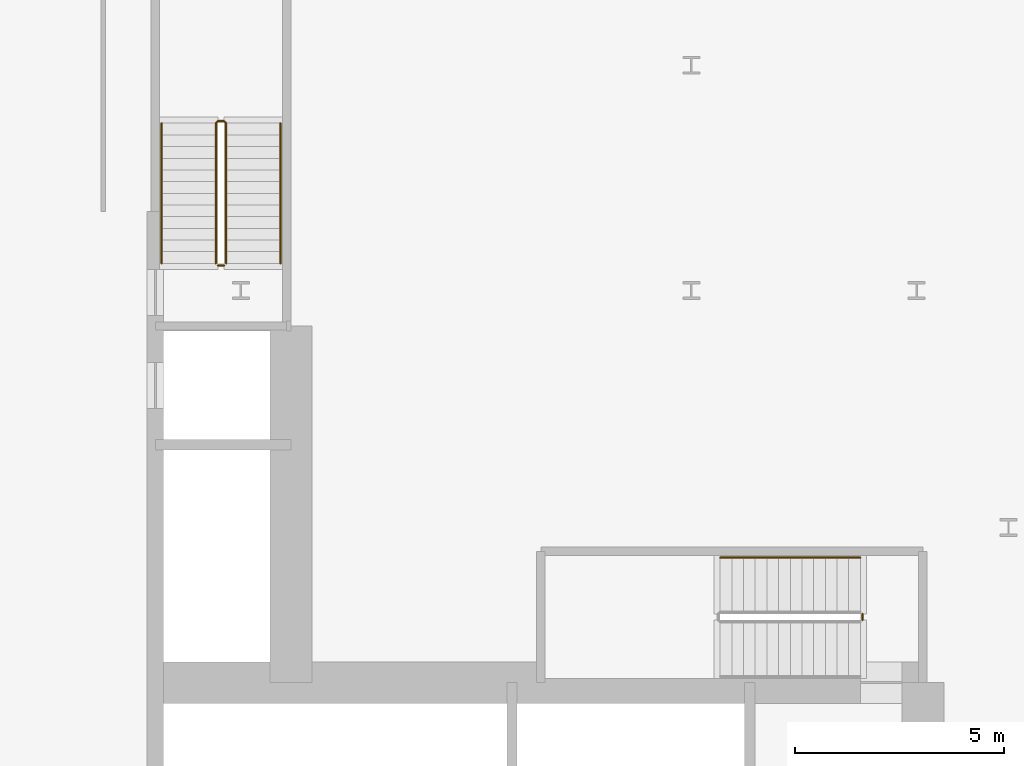
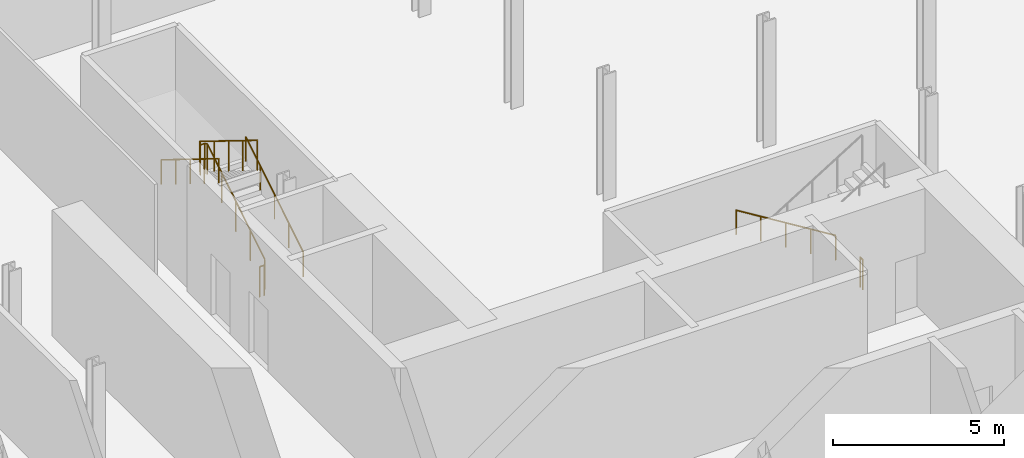
# One storey, part 39 of 43: 6 railings.
"""IFC4 building model written with IfcOpenShell, lengths in metres."""

from ifc_helpers import new_model, si_unit, direction, frame, origin, origin_2d, place, context, subcontext, project, spatial, circle, extrude, material, type_object, element, save


model = new_model("IFC4")

# Units and contexts
model_context = context("Model", 3, precision=1e-05, world=origin(), true_north=direction((0.0, 1.0)))
body_context = subcontext(model_context, "Body", "Model", "MODEL_VIEW")
ifc_project = project(units=[si_unit("LENGTHUNIT", "METRE"), si_unit("AREAUNIT", "SQUARE_METRE"), si_unit("VOLUMEUNIT", "CUBIC_METRE"), si_unit("PLANEANGLEUNIT", "RADIAN"), si_unit("MASSUNIT", "GRAM", prefix="KILO")], contexts=[model_context])

# Site, building, storey
site_placement = place(None, origin())
site = spatial("IfcSite", under=ifc_project, at=site_placement, CompositionType="ELEMENT")
building_placement = place(site_placement, origin())
building = spatial("IfcBuilding", under=site, at=building_placement, Name="Kheshtan School and Residences Tower", CompositionType="ELEMENT")
storey_placement = place(building_placement, frame((0.0, 0.0, 26.0)))
storey = spatial("IfcBuildingStorey", under=building, at=storey_placement, Name="L05", CompositionType="ELEMENT", Elevation=26.0)

# Railings
ifc_material_1 = material(Name="Stainless steel balustrade", Category="steel")
railing_type_1 = type_object("IfcRailingType", Name="Stair guard 1100", PredefinedType="GUARDRAIL", material=ifc_material_1)
railing_1_placement = place(storey_placement, frame((51.699951171875, 37.85009765625, 0.0)))
element("IfcRailing", 1, at=railing_1_placement, inside=storey, type_object=railing_type_1, Name="L05 ST1 stair guard 2", PredefinedType="GUARDRAIL", context=body_context, shape_type="SweptSolid", body=[
    extrude(circle(Radius=0.02392578125, at=origin_2d()), frame((0.0, 0.0, 1.076171875), z_axis=(0.0, -1.0, 0.0), x_axis=(1.0, 0.0, 0.0)), (0.0, 0.0, 1.0), 0.150146484375),
    extrude(circle(Radius=0.02099609375, at=origin_2d()), origin(), (0.0, 0.0, 1.0), 1.052001953125),
    extrude(circle(Radius=0.02099609375, at=origin_2d()), frame((0.0, -0.150146484375, 0.0)), (0.0, 0.0, 1.0), 1.052001953125),
])
railing_2_placement = place(storey_placement, frame((36.449951171875, 46.25, 0.173095703125)))
element("IfcRailing", 2, at=railing_2_placement, inside=storey, type_object=railing_type_1, Name="L05 ST2 stair guard 1", PredefinedType="GUARDRAIL", context=body_context, shape_type="SweptSolid", body=[
    extrude(circle(Radius=0.02392578125, at=origin_2d()), frame((0.0, 0.0, 1.076171875), z_axis=(0.0, 0.850623216509, 0.525775754039), x_axis=(-1.0, 0.0, 0.0)), (0.0, 0.0, 1.0), 3.9501953125),
    extrude(circle(Radius=0.02392578125, at=origin_2d()), frame((0.0, 3.360107421875, 3.15283203125), z_axis=(-0.708833529934, 0.705375805398, 0.0), x_axis=(-0.705375805398, -0.708833529934, 0.0)), (0.0, 0.0, 1.0), 0.070556640625),
    extrude(circle(Radius=0.02392578125, at=origin_2d()), frame((-0.050048828125, 3.409912109375, 3.15283203125), z_axis=(-1.0, 0.0, 0.0), x_axis=(0.0, -1.0, 0.0)), (0.0, 0.0, 1.0), 0.14990234375),
    extrude(circle(Radius=0.02392578125, at=origin_2d()), frame((-0.199951171875, 3.409912109375, 3.15283203125), z_axis=(-0.267723051232, -0.266417085129, 0.925929967433), x_axis=(0.705375805398, -0.708833529934, 0.0)), (0.0, 0.0, 1.0), 0.18701171875),
    extrude(circle(Radius=0.02392578125, at=origin_2d()), frame((-0.25, 3.360107421875, 3.326171875), z_axis=(0.0, -0.850623216509, 0.525775754039), x_axis=(1.0, 0.0, 0.0)), (0.0, 0.0, 1.0), 3.9501953125),
    extrude(circle(Radius=0.02099609375, at=origin_2d()), origin(), (0.0, 0.0, 1.0), 1.052001953125),
    extrude(circle(Radius=0.02099609375, at=origin_2d()), frame((0.0, 0.840087890625, 0.519287109375)), (0.0, 0.0, 1.0), 1.052001953125),
    extrude(circle(Radius=0.02099609375, at=origin_2d()), frame((0.0, 1.68017578125, 1.03857421875)), (0.0, 0.0, 1.0), 1.052001953125),
    extrude(circle(Radius=0.02099609375, at=origin_2d()), frame((0.0, 2.52001953125, 1.5576171875)), (0.0, 0.0, 1.0), 1.052001953125),
    extrude(circle(Radius=0.02099609375, at=origin_2d()), frame((0.0, 3.360107421875, 2.076904296875)), (0.0, 0.0, 1.0), 1.052001953125),
    extrude(circle(Radius=0.02099609375, at=origin_2d()), frame((-0.050048828125, 3.409912109375, 2.076904296875)), (0.0, 0.0, 1.0), 1.052001953125),
    extrude(circle(Radius=0.02099609375, at=origin_2d()), frame((-0.199951171875, 3.409912109375, 2.076904296875)), (0.0, 0.0, 1.0), 1.052001953125),
    extrude(circle(Radius=0.02099609375, at=origin_2d()), frame((-0.25, 3.360107421875, 2.25)), (0.0, 0.0, 1.0), 1.052001953125),
    extrude(circle(Radius=0.02099609375, at=origin_2d()), frame((-0.25, 2.52001953125, 2.769287109375)), (0.0, 0.0, 1.0), 1.052001953125),
    extrude(circle(Radius=0.02099609375, at=origin_2d()), frame((-0.25, 1.68017578125, 3.28857421875)), (0.0, 0.0, 1.0), 1.052001953125),
    extrude(circle(Radius=0.02099609375, at=origin_2d()), frame((-0.25, 0.840087890625, 3.8076171875)), (0.0, 0.0, 1.0), 1.052001953125),
    extrude(circle(Radius=0.02099609375, at=origin_2d()), frame((-0.25, 0.0, 4.326904296875)), (0.0, 0.0, 1.0), 1.052001953125),
])
railing_3_placement = place(storey_placement, frame((36.39990234375, 46.199951171875, 0.0)))
element("IfcRailing", 3, at=railing_3_placement, inside=storey, type_object=railing_type_1, Name="L05 ST2 stair guard 2", PredefinedType="GUARDRAIL", context=body_context, shape_type="SweptSolid", body=[
    extrude(circle(Radius=0.02392578125, at=origin_2d()), frame((0.0, 0.0, 1.076171875), z_axis=(-1.0, 0.0, 0.0), x_axis=(0.0, -1.0, 0.0)), (0.0, 0.0, 1.0), 0.14990234375),
    extrude(circle(Radius=0.02099609375, at=origin_2d()), origin(), (0.0, 0.0, 1.0), 1.052001953125),
    extrude(circle(Radius=0.02099609375, at=origin_2d()), frame((-0.14990234375, 0.0, 0.0)), (0.0, 0.0, 1.0), 1.052001953125),
])
ifc_material_2 = material(Name="Stainless steel handrail", Category="steel")
railing_type_2 = type_object("IfcRailingType", Name="Stair handrail 900", PredefinedType="HANDRAIL", material=ifc_material_2)
railing_4_placement = place(storey_placement, frame((51.64990234375, 39.199951171875, 0.173095703125)))
element("IfcRailing", 4, at=railing_4_placement, inside=storey, type_object=railing_type_2, Name="L05 ST1 stair handrail 1", PredefinedType="HANDRAIL", context=body_context, shape_type="SweptSolid", body=[
    extrude(circle(Radius=0.02392578125, at=origin_2d()), frame((0.0, 0.0, 0.8759765625), z_axis=(-0.850606129759, 0.0, 0.525803396734), x_axis=(0.0, -1.0, 0.0)), (0.0, 0.0, 1.0), 3.949951171875),
    extrude(circle(Radius=0.02099609375, at=origin_2d()), origin(), (0.0, 0.0, 1.0), 0.851806640625),
    extrude(circle(Radius=0.02099609375, at=origin_2d()), frame((-0.83984375, 0.0, 0.519287109375)), (0.0, 0.0, 1.0), 0.851806640625),
    extrude(circle(Radius=0.02099609375, at=origin_2d()), frame((-1.679931640625, 0.0, 1.03857421875)), (0.0, 0.0, 1.0), 0.851806640625),
    extrude(circle(Radius=0.02099609375, at=origin_2d()), frame((-2.52001953125, 0.0, 1.5576171875)), (0.0, 0.0, 1.0), 0.851806640625),
    extrude(circle(Radius=0.02099609375, at=origin_2d()), frame((-3.35986328125, 0.0, 2.076904296875)), (0.0, 0.0, 1.0), 0.851806640625),
])
railing_5_placement = place(storey_placement, frame((37.75, 46.25, 0.173095703125)))
element("IfcRailing", 5, at=railing_5_placement, inside=storey, type_object=railing_type_2, Name="L05 ST2 stair handrail 1", PredefinedType="HANDRAIL", context=body_context, shape_type="SweptSolid", body=[
    extrude(circle(Radius=0.02392578125, at=origin_2d()), frame((0.0, 0.0, 0.8759765625), z_axis=(0.0, 0.850623216509, 0.525775754039), x_axis=(-1.0, 0.0, 0.0)), (0.0, 0.0, 1.0), 3.9501953125),
    extrude(circle(Radius=0.02099609375, at=origin_2d()), origin(), (0.0, 0.0, 1.0), 0.851806640625),
    extrude(circle(Radius=0.02099609375, at=origin_2d()), frame((0.0, 0.840087890625, 0.519287109375)), (0.0, 0.0, 1.0), 0.851806640625),
    extrude(circle(Radius=0.02099609375, at=origin_2d()), frame((0.0, 1.68017578125, 1.03857421875)), (0.0, 0.0, 1.0), 0.851806640625),
    extrude(circle(Radius=0.02099609375, at=origin_2d()), frame((0.0, 2.52001953125, 1.5576171875)), (0.0, 0.0, 1.0), 0.851806640625),
    extrude(circle(Radius=0.02099609375, at=origin_2d()), frame((0.0, 3.360107421875, 2.076904296875)), (0.0, 0.0, 1.0), 0.851806640625),
])
railing_6_placement = place(storey_placement, frame((34.89990234375, 49.610107421875, 2.423095703125)))
element("IfcRailing", 6, at=railing_6_placement, inside=storey, type_object=railing_type_2, Name="L05 ST2 stair handrail 2", PredefinedType="HANDRAIL", context=body_context, shape_type="SweptSolid", body=[
    extrude(circle(Radius=0.02392578125, at=origin_2d()), frame((0.0, 0.0, 0.8759765625), z_axis=(0.0, -0.850623216509, 0.525775754039), x_axis=(1.0, 0.0, 0.0)), (0.0, 0.0, 1.0), 3.9501953125),
    extrude(circle(Radius=0.02099609375, at=origin_2d()), origin(), (0.0, 0.0, 1.0), 0.851806640625),
    extrude(circle(Radius=0.02099609375, at=origin_2d()), frame((0.0, -0.840087890625, 0.519287109375)), (0.0, 0.0, 1.0), 0.851806640625),
    extrude(circle(Radius=0.02099609375, at=origin_2d()), frame((0.0, -1.68017578125, 1.03857421875)), (0.0, 0.0, 1.0), 0.851806640625),
    extrude(circle(Radius=0.02099609375, at=origin_2d()), frame((0.0, -2.52001953125, 1.5576171875)), (0.0, 0.0, 1.0), 0.851806640625),
    extrude(circle(Radius=0.02099609375, at=origin_2d()), frame((0.0, -3.360107421875, 2.076904296875)), (0.0, 0.0, 1.0), 0.851806640625),
])

save(model, "model.ifc")
